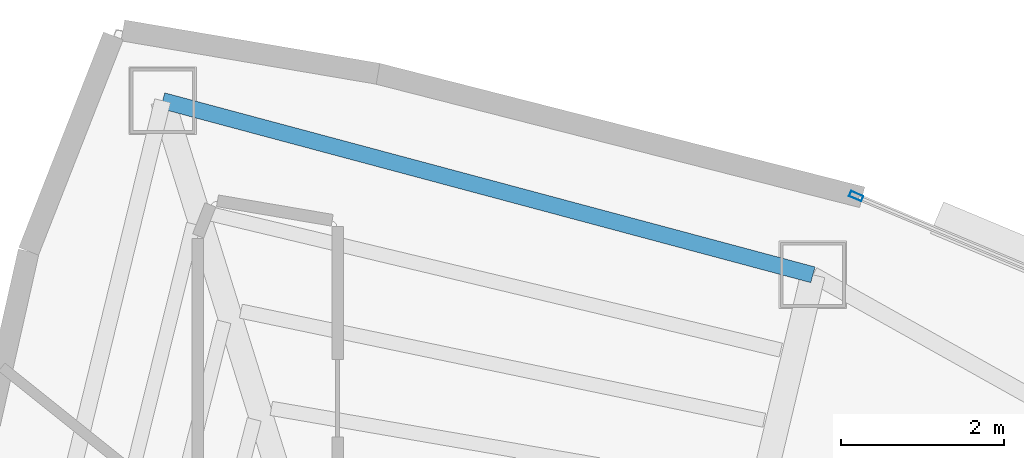
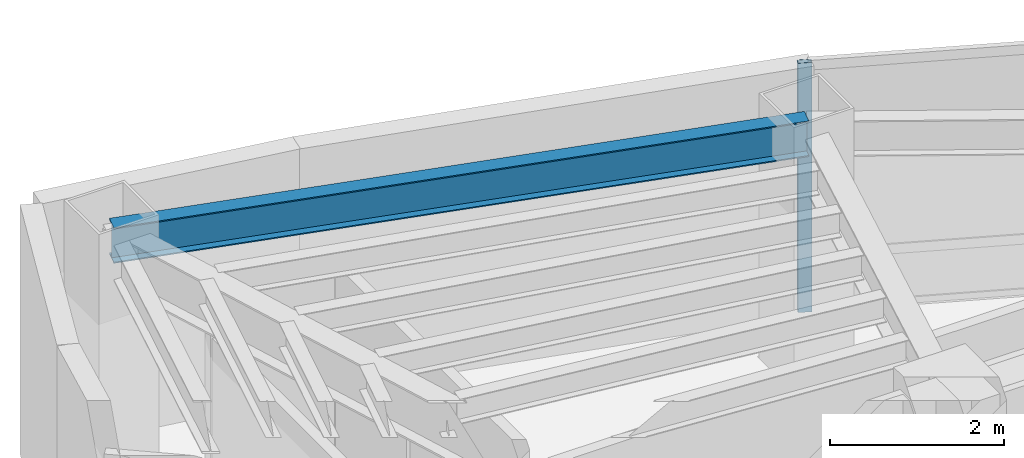
# One storey, part 9 of 15: 1 beam, 1 member, 1 element without a shape of its own.
"""IFC4 building model written with IfcOpenShell, lengths in metres."""

from ifc_helpers import new_model, si_unit, direction, frame, origin, origin_2d, place, context, subcontext, project, spatial, hollow_rectangle, i_section, extrude, material, layer, layer_set, material_profile, profile_set, type_object, element, aggregate, save


model = new_model("IFC4")

# Units and contexts
model_context = context("Model", 3, precision=1e-05, world=origin(), true_north=direction((0.0, 1.0)))
body_context = subcontext(model_context, "Body", "Model", "MODEL_VIEW")
ifc_project = project(units=[si_unit("LENGTHUNIT", "METRE"), si_unit("AREAUNIT", "SQUARE_METRE"), si_unit("VOLUMEUNIT", "CUBIC_METRE"), si_unit("PLANEANGLEUNIT", "RADIAN"), si_unit("MASSUNIT", "GRAM", prefix="KILO")], contexts=[model_context])

# Site, building, storey
site_placement = place(None, origin())
site = spatial("IfcSite", under=ifc_project, at=site_placement, CompositionType="ELEMENT")
building_placement = place(site_placement, origin())
building = spatial("IfcBuilding", under=site, at=building_placement, Name="Menara Vayukalpa", CompositionType="ELEMENT")
storey_placement = place(building_placement, frame((0.0, 0.0, 262.02001953125)))
storey = spatial("IfcBuildingStorey", under=building, at=storey_placement, Name="L66", CompositionType="ELEMENT", Elevation=262.02001953125)

# Beam
ifc_material_1 = material(Name="Steel S355", Category="steel")
ifc_material_profile_1 = material_profile(ifc_material_1, i_section(OverallWidth=0.199951171875, OverallDepth=0.5, WebThickness=0.010009765625, FlangeThickness=0.01611328125, at=origin_2d()), Name="WF 500x200x10x16")
ifc_profile_set_1 = profile_set([ifc_material_profile_1], Name="Steel S355")
beam_type = type_object("IfcBeamType", Name="BM-SP3", PredefinedType="SPANDREL", material=ifc_profile_set_1)
beam_placement = place(storey_placement, frame((23.3818359375, 32.40478515625, 3.25), z_axis=(-0.965978332552, 0.258623009494, 0.0), x_axis=(-0.258623009494, -0.965978332552, 0.0)))
element("IfcBeam", 1, at=beam_placement, inside=storey, type_object=beam_type, Name="L66 Perimeter Spandrel Beam SP03", PredefinedType="SPANDREL", context=body_context, shape_type="SweptSolid", body=[
    extrude(i_section(OverallWidth=0.199951171875, OverallDepth=0.5, WebThickness=0.010009765625, FlangeThickness=0.01611328125, at=origin_2d()), origin(), (0.0, 0.0, 1.0), 8.274169921875),
])

# Curtain wall, member
ifc_material_2 = material(Name="Anodised Terracotta Aluminium Alloy 6063-T6", Category="masonry")
ifc_layer = layer(ifc_material_2, 0.1650390625)
ifc_layer_set = layer_set([ifc_layer], Name="Anodised Terracotta Aluminium Alloy 6063-T6")
curtain_wall_type = type_object("IfcCurtainWallType", Name="CW-CW6", PredefinedType="USERDEFINED", material=ifc_layer_set)
curtain_wall_placement = place(storey_placement, origin())
curtain_wall = element("IfcCurtainWall", 2, at=curtain_wall_placement, inside=storey, type_object=curtain_wall_type, Name="L66 Observation and Executive Curtain Wall CW6 05", ObjectType="UNITISED", PredefinedType="USERDEFINED")
ifc_material_3 = material(Name="Anodised Terracotta Aluminium Alloy 6063-T6", Category="masonry")
ifc_material_profile_2 = material_profile(ifc_material_3, hollow_rectangle(XDim=0.070068359375, YDim=0.1650390625, WallThickness=0.00390625, at=origin_2d()), Name="ALU 70x165x4")
ifc_profile_set_2 = profile_set([ifc_material_profile_2], Name="Anodised Terracotta Aluminium Alloy 6063-T6")
member_type = type_object("IfcMemberType", Name="CWM-CW6", PredefinedType="MULLION", material=ifc_profile_set_2)
member_placement = place(storey_placement, frame((23.913330078125, 33.37158203125, 0.0), z_axis=(0.0, 0.0, 1.0), x_axis=(-0.385899911703, -0.922540653927, 0.0)))
member = element("IfcMember", 3, at=member_placement, type_object=member_type, Name="CW6 mullion 3", PredefinedType="MULLION", context=body_context, shape_type="SweptSolid", body=[
    extrude(hollow_rectangle(XDim=0.070068359375, YDim=0.1650390625, WallThickness=0.00390625, at=origin_2d()), origin(), (0.0, 0.0, 1.0), 3.5),
])
aggregate(curtain_wall, [member])

save(model, "model.ifc")
